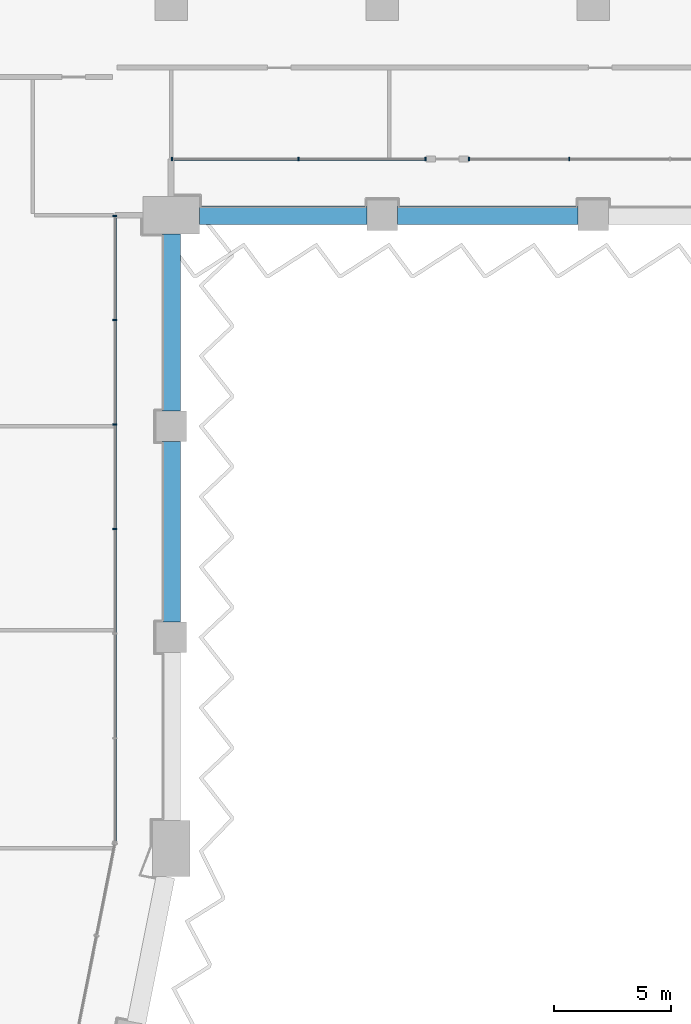
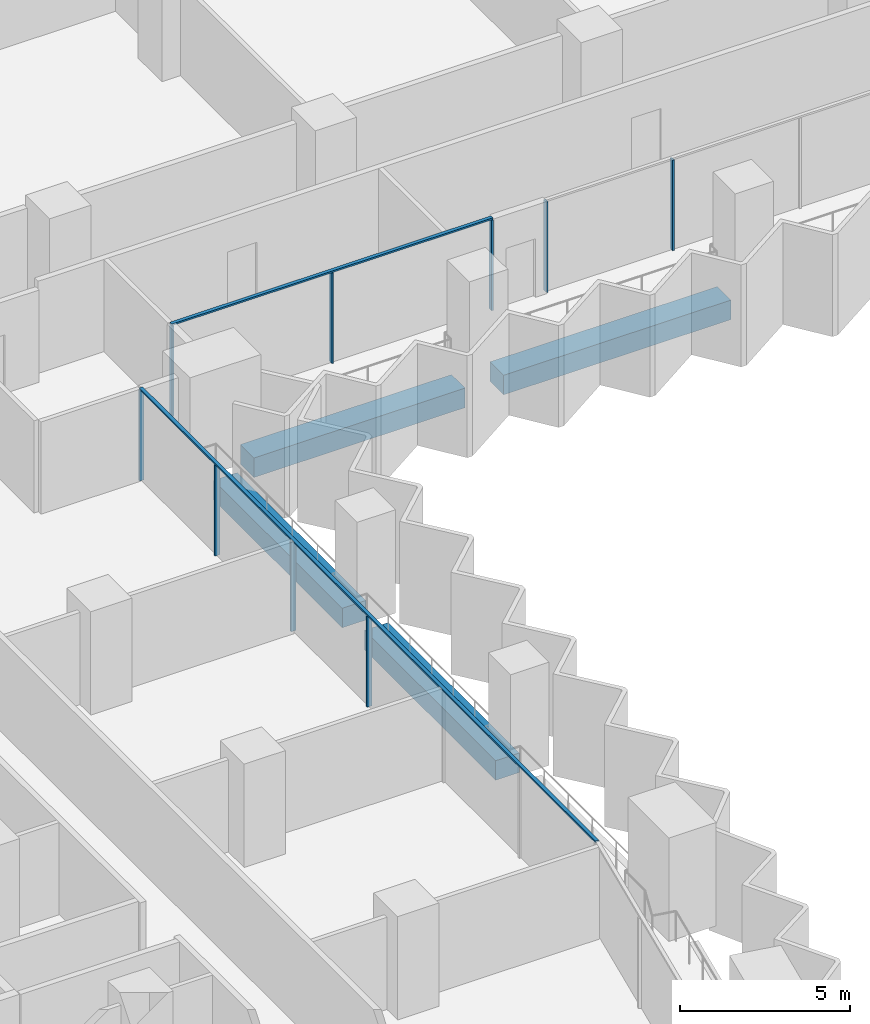
# One storey, part 4 of 29: 11 members, 4 beams, 3 elements without a shape of their own.
"""IFC4 building model written with IfcOpenShell, lengths in metres."""

from ifc_helpers import new_model, si_unit, direction, frame, origin, origin_2d, place, context, subcontext, project, spatial, rectangle, extrude, material, material_profile, profile_set, type_object, element, aggregate, save


model = new_model("IFC4")

# Units and contexts
model_context = context("Model", 3, precision=1e-05, world=origin(), true_north=direction((0.0, 1.0)))
body_context = subcontext(model_context, "Body", "Model", "MODEL_VIEW")
ifc_project = project(units=[si_unit("LENGTHUNIT", "METRE"), si_unit("AREAUNIT", "SQUARE_METRE"), si_unit("VOLUMEUNIT", "CUBIC_METRE"), si_unit("PLANEANGLEUNIT", "RADIAN"), si_unit("MASSUNIT", "GRAM", prefix="KILO")], contexts=[model_context])

# Site, building, storey
site_placement = place(None, origin())
site = spatial("IfcSite", under=ifc_project, at=site_placement, CompositionType="ELEMENT")
building_placement = place(site_placement, origin())
building = spatial("IfcBuilding", under=site, at=building_placement, Name="Hunhe Ridgeline Campus", CompositionType="ELEMENT")
storey_placement = place(building_placement, frame((0.0, 0.0, 69.10009765625)))
storey = spatial("IfcBuildingStorey", under=building, at=storey_placement, Name="L16", CompositionType="ELEMENT", Elevation=69.10009765625)

# Curtain wall, members
ifc_material_1 = material(Name="Aluminium 6063", Category="aluminium")
curtain_wall_type = type_object("IfcCurtainWallType", Name="Curtain wall CW-1", PredefinedType="NOTDEFINED", material=ifc_material_1)
curtain_wall_1_placement = place(storey_placement, origin())
curtain_wall_1 = element("IfcCurtainWall", 1, at=curtain_wall_1_placement, inside=storey, type_object=curtain_wall_type, Name="Curtain wall 11", PredefinedType="NOTDEFINED")
ifc_material_profile_1 = material_profile(ifc_material_1, rectangle(XDim=0.159912109375, YDim=0.06005859375, at=origin_2d()))
ifc_profile_set_1 = profile_set([ifc_material_profile_1], Name="Aluminium 6063")
member_type_1 = type_object("IfcMemberType", Name="CW-1 aluminium mullion", PredefinedType="MULLION", material=ifc_profile_set_1)
member_1_placement = place(storey_placement, frame((42.59912109375, 40.618408203125, 0.0), z_axis=(0.0, 0.0, 1.0), x_axis=(-1.0, 1.8682e-07, 0.0)))
member_1 = element("IfcMember", 2, at=member_1_placement, type_object=member_type_1, Name="CW-1 mullion 4", PredefinedType="MULLION", context=body_context, shape_type="SweptSolid", body=[
    extrude(rectangle(XDim=0.159912109375, YDim=0.06005859375, at=origin_2d()), origin(), (0.0, 0.0, 1.0), 3.239990234375),
])
member_2_placement = place(storey_placement, frame((42.59912109375, 45.078857421875, 0.0), z_axis=(0.0, 0.0, 1.0), x_axis=(-1.0, 1.8682e-07, 0.0)))
member_2 = element("IfcMember", 3, at=member_2_placement, type_object=member_type_1, Name="CW-1 mullion 5", PredefinedType="MULLION", context=body_context, shape_type="SweptSolid", body=[
    extrude(rectangle(XDim=0.159912109375, YDim=0.06005859375, at=origin_2d()), origin(), (0.0, 0.0, 1.0), 3.239990234375),
])
member_3_placement = place(storey_placement, frame((42.59912109375, 49.53955078125, 0.0), z_axis=(0.0, 0.0, 1.0), x_axis=(-1.0, 1.8682e-07, 0.0)))
member_3 = element("IfcMember", 4, at=member_3_placement, type_object=member_type_1, Name="CW-1 mullion 6", PredefinedType="MULLION", context=body_context, shape_type="SweptSolid", body=[
    extrude(rectangle(XDim=0.159912109375, YDim=0.06005859375, at=origin_2d()), origin(), (0.0, 0.0, 1.0), 3.239990234375),
])
member_4_placement = place(storey_placement, frame((42.59912109375, 53.97021484375, 0.0), z_axis=(0.0, 0.0, 1.0), x_axis=(-1.0, 1.8682e-07, 0.0)))
member_4 = element("IfcMember", 5, at=member_4_placement, type_object=member_type_1, Name="CW-1 mullion 7", PredefinedType="MULLION", context=body_context, shape_type="SweptSolid", body=[
    extrude(rectangle(XDim=0.159912109375, YDim=0.06005859375, at=origin_2d()), origin(), (0.0, 0.0, 1.0), 3.239990234375),
])

curtain_wall_2_placement = place(storey_placement, origin())
curtain_wall_2 = element("IfcCurtainWall", 6, at=curtain_wall_2_placement, inside=storey, type_object=curtain_wall_type, Name="Curtain wall 12", PredefinedType="NOTDEFINED")
member_5_placement = place(storey_placement, frame((45.029541015625, 56.40087890625, 0.0), z_axis=(0.0, 0.0, 1.0), x_axis=(-3.58625e-06, 0.999999999994, 0.0)))
member_5 = element("IfcMember", 7, at=member_5_placement, type_object=member_type_1, Name="CW-1 mullion 1", PredefinedType="MULLION", context=body_context, shape_type="SweptSolid", body=[
    extrude(rectangle(XDim=0.159912109375, YDim=0.06005859375, at=origin_2d()), origin(), (0.0, 0.0, 1.0), 3.239990234375),
])
member_6_placement = place(storey_placement, frame((50.436767578125, 56.40087890625, 0.0), z_axis=(0.0, 0.0, 1.0), x_axis=(-3.58625e-06, 0.999999999994, 0.0)))
member_6 = element("IfcMember", 8, at=member_6_placement, type_object=member_type_1, Name="CW-1 mullion 2", PredefinedType="MULLION", context=body_context, shape_type="SweptSolid", body=[
    extrude(rectangle(XDim=0.159912109375, YDim=0.06005859375, at=origin_2d()), origin(), (0.0, 0.0, 1.0), 3.239990234375),
])
member_7_placement = place(storey_placement, frame((55.84423828125, 56.40087890625, 0.0), z_axis=(0.0, 0.0, 1.0), x_axis=(-3.58625e-06, 0.999999999994, 0.0)))
member_7 = element("IfcMember", 9, at=member_7_placement, type_object=member_type_1, Name="CW-1 mullion 3", PredefinedType="MULLION", context=body_context, shape_type="SweptSolid", body=[
    extrude(rectangle(XDim=0.159912109375, YDim=0.06005859375, at=origin_2d()), origin(), (0.0, 0.0, 1.0), 3.239990234375),
])

curtain_wall_3_placement = place(storey_placement, origin())
curtain_wall_3 = element("IfcCurtainWall", 10, at=curtain_wall_3_placement, inside=storey, type_object=curtain_wall_type, Name="Curtain wall 13", PredefinedType="NOTDEFINED")
member_8_placement = place(storey_placement, frame((57.704345703125, 56.40087890625, 0.0), z_axis=(0.0, 0.0, 1.0), x_axis=(-3.602063e-06, 0.999999999994, 0.0)))
member_8 = element("IfcMember", 11, at=member_8_placement, type_object=member_type_1, Name="CW-1 mullion 1", PredefinedType="MULLION", context=body_context, shape_type="SweptSolid", body=[
    extrude(rectangle(XDim=0.159912109375, YDim=0.06005859375, at=origin_2d()), origin(), (0.0, 0.0, 1.0), 3.239990234375),
])
member_9_placement = place(storey_placement, frame((61.977294921875, 56.40087890625, 0.0), z_axis=(0.0, 0.0, 1.0), x_axis=(-3.602063e-06, 0.999999999994, 0.0)))
member_9 = element("IfcMember", 12, at=member_9_placement, type_object=member_type_1, Name="CW-1 mullion 2", PredefinedType="MULLION", context=body_context, shape_type="SweptSolid", body=[
    extrude(rectangle(XDim=0.159912109375, YDim=0.06005859375, at=origin_2d()), origin(), (0.0, 0.0, 1.0), 3.239990234375),
])
aggregate(curtain_wall_3, [member_8, member_9])

# Member
ifc_material_profile_2 = material_profile(ifc_material_1, rectangle(XDim=0.1201171875, YDim=0.06005859375, at=origin_2d()))
ifc_profile_set_2 = profile_set([ifc_material_profile_2], Name="Aluminium 6063")
member_type_2 = type_object("IfcMemberType", Name="CW-1 aluminium transom", PredefinedType="USERDEFINED", material=ifc_profile_set_2)
member_10_placement = place(storey_placement, frame((42.59912109375, 27.236572265625, 3.27001953125), z_axis=(0.0, 1.0, 0.0), x_axis=(-1.0, 0.0, 0.0)))
member_10 = element("IfcMember", 13, at=member_10_placement, type_object=member_type_2, Name="CW-1 transom 1", ObjectType="TRANSOM", PredefinedType="USERDEFINED", context=body_context, shape_type="SweptSolid", body=[
    extrude(rectangle(XDim=0.1201171875, YDim=0.06005859375, at=origin_2d()), origin(), (0.0, 0.0, 1.0), 26.763427734375),
])

aggregate(curtain_wall_1, [member_10, member_1, member_2, member_3, member_4])

member_11_placement = place(storey_placement, frame((44.99951171875, 56.40087890625, 3.27001953125), z_axis=(1.0, 0.0, 0.0), x_axis=(0.0, 1.0, 0.0)))
member_11 = element("IfcMember", 14, at=member_11_placement, type_object=member_type_2, Name="CW-1 transom 1", ObjectType="TRANSOM", PredefinedType="USERDEFINED", context=body_context, shape_type="SweptSolid", body=[
    extrude(rectangle(XDim=0.1201171875, YDim=0.06005859375, at=origin_2d()), origin(), (0.0, 0.0, 1.0), 10.874755859375),
])

aggregate(curtain_wall_2, [member_11, member_5, member_6, member_7])

# Beams
ifc_material_2 = material(Name="Concrete C60", Category="concrete")
ifc_material_profile_3 = material_profile(ifc_material_2, rectangle(XDim=0.800048828125, YDim=0.699951171875, at=origin_2d()))
ifc_profile_set_3 = profile_set([ifc_material_profile_3], Name="Concrete C60")
beam_type = type_object("IfcBeamType", Name="RC spandrel beam 800x700 Concrete C60", PredefinedType="SPANDREL", material=ifc_profile_set_3)
beam_1_placement = place(storey_placement, frame((45.0, 36.64990234375, -0.60009765625), z_axis=(0.0, 1.0, 0.0), x_axis=(-1.0, 0.0, 0.0)))
element("IfcBeam", 15, at=beam_1_placement, inside=storey, type_object=beam_type, Name="Spandrel beam B1-10 L16", PredefinedType="SPANDREL", context=body_context, shape_type="SweptSolid", body=[
    extrude(rectangle(XDim=0.800048828125, YDim=0.699951171875, at=origin_2d()), origin(), (0.0, 0.0, 1.0), 7.7001953125),
])
beam_2_placement = place(storey_placement, frame((45.0, 45.64990234375, -0.60009765625), z_axis=(0.0, 1.0, 0.0), x_axis=(-1.0, 0.0, 0.0)))
element("IfcBeam", 16, at=beam_2_placement, inside=storey, type_object=beam_type, Name="Spandrel beam B1-11 L16", PredefinedType="SPANDREL", context=body_context, shape_type="SweptSolid", body=[
    extrude(rectangle(XDim=0.800048828125, YDim=0.699951171875, at=origin_2d()), origin(), (0.0, 0.0, 1.0), 7.550048828125),
])
beam_3_placement = place(storey_placement, frame((46.199951171875, 54.0, -0.60009765625), z_axis=(1.0, 0.0, 0.0), x_axis=(0.0, 1.0, 0.0)))
element("IfcBeam", 17, at=beam_3_placement, inside=storey, type_object=beam_type, Name="Spandrel beam B1-12 L16", PredefinedType="SPANDREL", context=body_context, shape_type="SweptSolid", body=[
    extrude(rectangle(XDim=0.800048828125, YDim=0.699951171875, at=origin_2d()), origin(), (0.0, 0.0, 1.0), 7.150146484375),
])
beam_4_placement = place(storey_placement, frame((54.64990234375, 54.0, -0.60009765625), z_axis=(1.0, 0.0, 0.0), x_axis=(0.0, 1.0, 0.0)))
element("IfcBeam", 18, at=beam_4_placement, inside=storey, type_object=beam_type, Name="Spandrel beam B1-13 L16", PredefinedType="SPANDREL", context=body_context, shape_type="SweptSolid", body=[
    extrude(rectangle(XDim=0.800048828125, YDim=0.699951171875, at=origin_2d()), origin(), (0.0, 0.0, 1.0), 7.7001953125),
])

save(model, "model.ifc")
